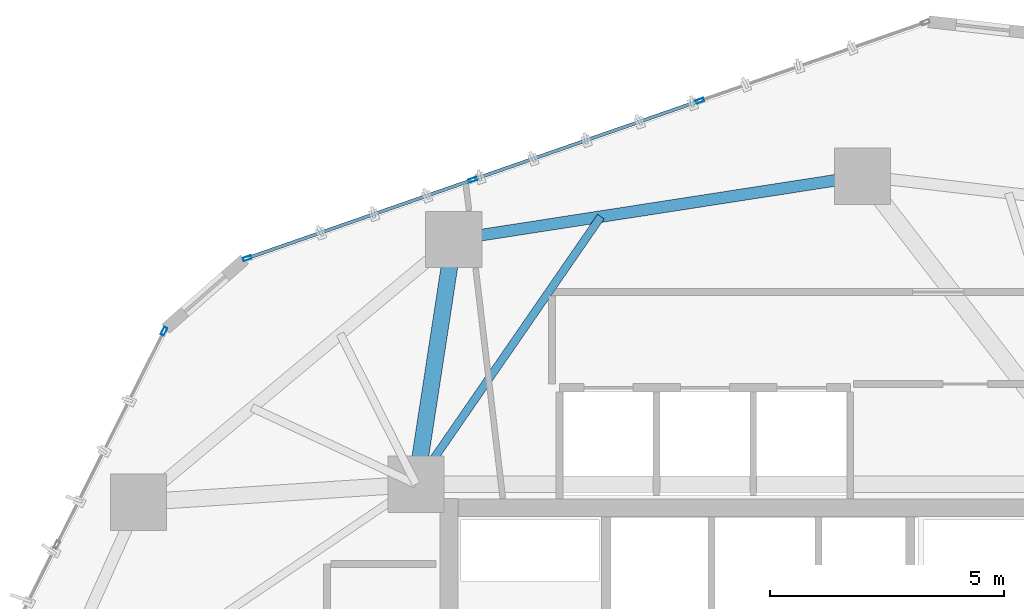
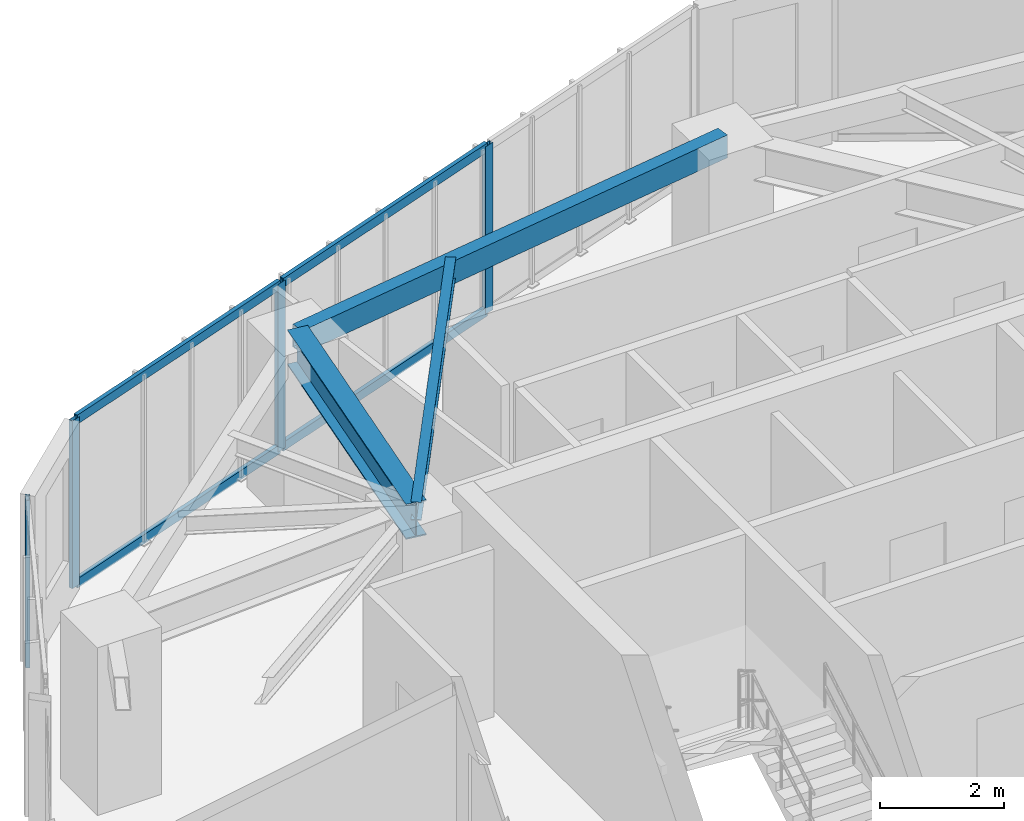
# One storey, part 12 of 21: 8 members, 3 beams, 2 elements without a shape of their own.
"""IFC4 building model written with IfcOpenShell, lengths in metres."""

from ifc_helpers import new_model, si_unit, direction, frame, origin, origin_2d, place, context, subcontext, project, spatial, hollow_rectangle, i_section, extrude, source, transform, mapped, material, layer, layer_set, material_profile, profile_set, type_object, type_shapes, element, aggregate, save


model = new_model("IFC4")

# Units and contexts
model_context = context("Model", 3, precision=1e-05, world=origin(), true_north=direction((0.0, 1.0)))
body_context = subcontext(model_context, "Body", "Model", "MODEL_VIEW")
ifc_project = project(units=[si_unit("LENGTHUNIT", "METRE"), si_unit("AREAUNIT", "SQUARE_METRE"), si_unit("VOLUMEUNIT", "CUBIC_METRE"), si_unit("PLANEANGLEUNIT", "RADIAN"), si_unit("MASSUNIT", "GRAM", prefix="KILO")], contexts=[model_context])

# Site, building, storey
site_placement = place(None, origin())
site = spatial("IfcSite", under=ifc_project, at=site_placement, CompositionType="ELEMENT")
building_placement = place(site_placement, origin())
building = spatial("IfcBuilding", under=site, at=building_placement, Name="Talar Marvaseh", CompositionType="ELEMENT")
storey_placement = place(building_placement, frame((0.0, 0.0, 147.0)))
storey = spatial("IfcBuildingStorey", under=building, at=storey_placement, Name="L38", CompositionType="ELEMENT", Elevation=147.0)

# Beams
ifc_material_1 = material(Name="Steel S355", Category="steel")
ifc_material_profile_1 = material_profile(ifc_material_1, hollow_rectangle(XDim=0.25, YDim=0.449951171875, WallThickness=0.01611328125, at=origin_2d()), Name="RHS450x250x16")
ifc_profile_set_1 = profile_set([ifc_material_profile_1], Name="Steel S355")
beam_type_1 = type_object("IfcBeamType", Name="Zone 2 Perimeter Spandrel Beam RHS450x250x16", PredefinedType="SPANDREL", material=ifc_profile_set_1)
beam_1_placement = place(storey_placement, frame((19.5009765625, 42.123046875, 3.0849609375), z_axis=(0.988248879948, 0.152853365295, 0.0), x_axis=(-0.152853365295, 0.988248879948, 0.0)))
element("IfcBeam", 1, at=beam_1_placement, inside=storey, type_object=beam_type_1, Name="L38 Zone 2 Perimeter Spandrel Beam RHS450x250x16", PredefinedType="SPANDREL", context=body_context, shape_type="SweptSolid", body=[
    extrude(hollow_rectangle(XDim=0.25, YDim=0.449951171875, WallThickness=0.01611328125, at=origin_2d()), origin(), (0.0, 0.0, 1.0), 8.82470703125),
])
ifc_material_profile_2 = material_profile(ifc_material_1, i_section(OverallWidth=0.35498046875, OverallDepth=0.695068359375, WebThickness=0.015380859375, FlangeThickness=0.02490234375, at=origin_2d()), Name="W690x217")
ifc_profile_set_2 = profile_set([ifc_material_profile_2], Name="Steel S355")
beam_type_2 = type_object("IfcBeamType", Name="Zone 2 Radial Floor Girder W690x217", PredefinedType="BEAM", material=ifc_profile_set_2)
beam_2_placement = place(storey_placement, frame((19.5009765625, 42.123046875, 2.96240234375), z_axis=(-0.151588471466, -0.98844369355, 0.0), x_axis=(0.98844369355, -0.151588471466, 0.0)))
element("IfcBeam", 2, at=beam_2_placement, inside=storey, type_object=beam_type_2, Name="L38 Zone 2 Radial Floor Girder W690x217", PredefinedType="BEAM", context=body_context, shape_type="SweptSolid", body=[
    extrude(i_section(OverallWidth=0.35498046875, OverallDepth=0.695068359375, WebThickness=0.015380859375, FlangeThickness=0.02490234375, at=origin_2d()), origin(), (0.0, 0.0, 1.0), 5.2841796875),
])
ifc_material_profile_3 = material_profile(ifc_material_1, i_section(OverallWidth=0.172119140625, OverallDepth=0.35791015625, WebThickness=0.0078125, FlangeThickness=0.01318359375, at=origin_2d()), Name="W360x57")
ifc_profile_set_3 = profile_set([ifc_material_profile_3], Name="Steel S355")
beam_type_3 = type_object("IfcBeamType", Name="Zone 2 Secondary Floor Joist W360x57", PredefinedType="JOIST", material=ifc_profile_set_3)
beam_3_placement = place(storey_placement, frame((22.640625, 42.608642578125, 3.131103515625), z_axis=(-0.568085734836, -0.822969378456, 0.0), x_axis=(0.822969378456, -0.568085734836, 0.0)))
element("IfcBeam", 3, at=beam_3_placement, inside=storey, type_object=beam_type_3, Name="L38 Zone 2 Secondary Floor Joist W360x57", PredefinedType="JOIST", context=body_context, shape_type="SweptSolid", body=[
    extrude(i_section(OverallWidth=0.172119140625, OverallDepth=0.35791015625, WebThickness=0.0078125, FlangeThickness=0.01318359375, at=origin_2d()), origin(), (0.0, 0.0, 1.0), 6.936767578125),
])

# Curtain wall, member
ifc_material_2 = material(Name="Architectural Aluminium", Category="aluminium")
ifc_layer = layer(ifc_material_2, 0.199951171875)
ifc_layer_set = layer_set([ifc_layer], Name="Architectural Aluminium")
curtain_wall_type = type_object("IfcCurtainWallType", Name="Unitised Acoustic Library Curtain Wall Z2", PredefinedType="NOTDEFINED", material=ifc_layer_set)
curtain_wall_1_placement = place(storey_placement, origin())
curtain_wall_1 = element("IfcCurtainWall", 4, at=curtain_wall_1_placement, inside=storey, type_object=curtain_wall_type, Name="L38 Unitised Acoustic Library Curtain Wall Z2", PredefinedType="NOTDEFINED")
ifc_material_profile_4 = material_profile(ifc_material_2, hollow_rectangle(XDim=0.074951171875, YDim=0.179931640625, WallThickness=0.0048828125, at=origin_2d()), Name="RHS180x75x5")
ifc_profile_set_4 = profile_set([ifc_material_profile_4], Name="Architectural Aluminium")
member_type_1 = type_object("IfcMemberType", Name="Unitised Curtain Wall Standard Mullion RHS180x75x5", PredefinedType="MULLION", material=ifc_profile_set_4)
shared_shape_1 = source(origin(), body_context, "Body", "SweptSolid", [
    extrude(hollow_rectangle(XDim=0.074951171875, YDim=0.179931640625, WallThickness=0.0048828125, at=origin_2d()), origin(), (0.0, 0.0, 1.0), 3.31005859375),
])
type_shapes(member_type_1, [shared_shape_1])
member_1_placement = place(storey_placement, frame((13.32470703125, 40.1640625, 0.0), z_axis=(0.0, 0.0, 1.0), x_axis=(-0.893514361741, 0.449034614883, 0.0)))
member_1 = element("IfcMember", 5, at=member_1_placement, type_object=member_type_1, Name="CW-Z2 mullion 4", PredefinedType="MULLION", context=body_context, shape_type="MappedRepresentation", body=[
    mapped(shared_shape_1, transform((0.0, 0.0, 0.0), x_axis=(1.0, 0.0, 0.0), y_axis=(0.0, 1.0, 0.0), z_axis=(0.0, 0.0, 1.0), scale=1.0)),
])
aggregate(curtain_wall_1, [member_1])

# Curtain wall, members
curtain_wall_2_placement = place(storey_placement, origin())
curtain_wall_2 = element("IfcCurtainWall", 6, at=curtain_wall_2_placement, inside=storey, type_object=curtain_wall_type, Name="L38 Unitised Acoustic Library Curtain Wall Z2", PredefinedType="NOTDEFINED")
member_2_placement = place(storey_placement, frame((15.098876953125, 41.719970703125, 0.0), z_axis=(0.0, 0.0, 1.0), x_axis=(-0.328569264121, 0.944479877326, 0.0)))
member_2 = element("IfcMember", 7, at=member_2_placement, type_object=member_type_1, Name="CW-Z2 mullion 1", PredefinedType="MULLION", context=body_context, shape_type="MappedRepresentation", body=[
    mapped(shared_shape_1, transform((0.0, 0.0, 0.0), x_axis=(1.0, 0.0, 0.0), y_axis=(0.0, 1.0, 0.0), z_axis=(0.0, 0.0, 1.0), scale=1.0)),
])
member_3_placement = place(storey_placement, frame((19.90869140625, 43.39306640625, 0.0), z_axis=(0.0, 0.0, 1.0), x_axis=(-0.328569264121, 0.944479877326, 0.0)))
member_3 = element("IfcMember", 8, at=member_3_placement, type_object=member_type_1, Name="CW-Z2 mullion 2", PredefinedType="MULLION", context=body_context, shape_type="MappedRepresentation", body=[
    mapped(shared_shape_1, transform((0.0, 0.0, 0.0), x_axis=(1.0, 0.0, 0.0), y_axis=(0.0, 1.0, 0.0), z_axis=(0.0, 0.0, 1.0), scale=1.0)),
])
member_4_placement = place(storey_placement, frame((24.75390625, 45.07861328125, 0.0), z_axis=(0.0, 0.0, 1.0), x_axis=(-0.328569264121, 0.944479877326, 0.0)))
member_4 = element("IfcMember", 9, at=member_4_placement, type_object=member_type_1, Name="CW-Z2 mullion 3", PredefinedType="MULLION", context=body_context, shape_type="MappedRepresentation", body=[
    mapped(shared_shape_1, transform((0.0, 0.0, 0.0), x_axis=(1.0, 0.0, 0.0), y_axis=(0.0, 1.0, 0.0), z_axis=(0.0, 0.0, 1.0), scale=1.0)),
])
ifc_material_profile_5 = material_profile(ifc_material_2, hollow_rectangle(XDim=0.074951171875, YDim=0.179931640625, WallThickness=0.0048828125, at=origin_2d()), Name="RHS180x75x5")
ifc_profile_set_5 = profile_set([ifc_material_profile_5], Name="Architectural Aluminium")
member_type_2 = type_object("IfcMemberType", Name="Unitised Curtain Wall Transom RHS180x75x5", PredefinedType="USERDEFINED", material=ifc_profile_set_5)
shared_shape_2 = source(origin(), body_context, "Body", "SweptSolid", [
    extrude(hollow_rectangle(XDim=0.074951171875, YDim=0.179931640625, WallThickness=0.0048828125, at=origin_2d()), origin(), (0.0, 0.0, 1.0), 5.017578125),
])
member_5_placement = place(storey_placement, frame((15.13427734375, 41.732177734375, 0.03759765625), z_axis=(0.944476446028, 0.3285791273, 0.0), x_axis=(-0.3285791273, 0.944476446028, 0.0)))
member_5 = element("IfcMember", 10, at=member_5_placement, type_object=member_type_2, Name="CW-Z2 transom 1.1", ObjectType="TRANSOM", PredefinedType="USERDEFINED", context=body_context, shape_type="MappedRepresentation", body=[
    mapped(shared_shape_2, transform((0.0, 0.0, 0.0), x_axis=(1.0, 0.0, 0.0), y_axis=(0.0, 1.0, 0.0), z_axis=(0.0, 0.0, 1.0), scale=1.0)),
])
member_6_placement = place(storey_placement, frame((15.13427734375, 41.732177734375, 3.2724609375), z_axis=(0.944476446028, 0.3285791273, 0.0), x_axis=(-0.3285791273, 0.944476446028, 0.0)))
member_6 = element("IfcMember", 11, at=member_6_placement, type_object=member_type_2, Name="CW-Z2 transom 1.2", ObjectType="TRANSOM", PredefinedType="USERDEFINED", context=body_context, shape_type="MappedRepresentation", body=[
    mapped(shared_shape_2, transform((0.0, 0.0, 0.0), x_axis=(1.0, 0.0, 0.0), y_axis=(0.0, 1.0, 0.0), z_axis=(0.0, 0.0, 1.0), scale=1.0)),
])
shared_shape_3 = source(origin(), body_context, "Body", "SweptSolid", [
    extrude(hollow_rectangle(XDim=0.074951171875, YDim=0.179931640625, WallThickness=0.0048828125, at=origin_2d()), origin(), (0.0, 0.0, 1.0), 5.054931640625),
])
type_shapes(member_type_2, [shared_shape_2, shared_shape_3])
member_7_placement = place(storey_placement, frame((19.944091796875, 43.405517578125, 0.03759765625), z_axis=(0.944477899257, 0.328574950071, 0.0), x_axis=(-0.328574950071, 0.944477899257, 0.0)))
member_7 = element("IfcMember", 12, at=member_7_placement, type_object=member_type_2, Name="CW-Z2 transom 2.1", ObjectType="TRANSOM", PredefinedType="USERDEFINED", context=body_context, shape_type="MappedRepresentation", body=[
    mapped(shared_shape_3, transform((0.0, 0.0, 0.0), x_axis=(1.0, 0.0, 0.0), y_axis=(0.0, 1.0, 0.0), z_axis=(0.0, 0.0, 1.0), scale=1.0)),
])
member_8_placement = place(storey_placement, frame((19.944091796875, 43.405517578125, 3.2724609375), z_axis=(0.944477899257, 0.328574950071, 0.0), x_axis=(-0.328574950071, 0.944477899257, 0.0)))
member_8 = element("IfcMember", 13, at=member_8_placement, type_object=member_type_2, Name="CW-Z2 transom 2.2", ObjectType="TRANSOM", PredefinedType="USERDEFINED", context=body_context, shape_type="MappedRepresentation", body=[
    mapped(shared_shape_3, transform((0.0, 0.0, 0.0), x_axis=(1.0, 0.0, 0.0), y_axis=(0.0, 1.0, 0.0), z_axis=(0.0, 0.0, 1.0), scale=1.0)),
])
aggregate(curtain_wall_2, [member_2, member_3, member_4, member_5, member_6, member_7, member_8])

save(model, "model.ifc")
